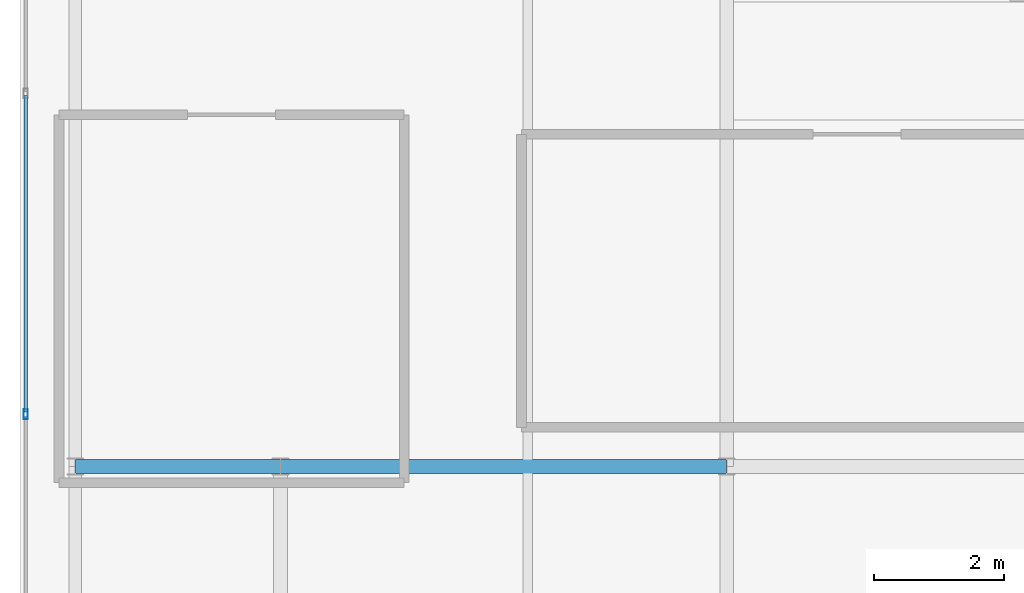
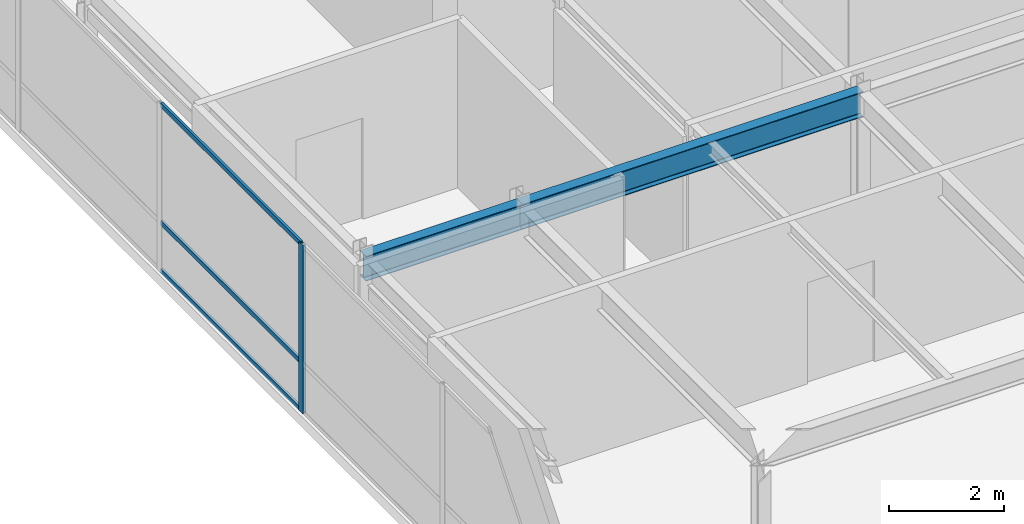
# One storey, part 16 of 36: 4 members, 2 beams, 1 element without a shape of its own.
"""IFC4 building model written with IfcOpenShell, lengths in metres."""

from ifc_helpers import new_model, si_unit, direction, frame, origin, origin_2d, place, context, subcontext, project, spatial, hollow_rectangle, i_section, extrude, source, transform, mapped, material, layer, layer_set, material_profile, profile_set, type_object, type_shapes, element, aggregate, save


model = new_model("IFC4")

# Units and contexts
model_context = context("Model", 3, precision=1e-05, world=origin(), true_north=direction((0.0, 1.0)))
body_context = subcontext(model_context, "Body", "Model", "MODEL_VIEW")
ifc_project = project(units=[si_unit("LENGTHUNIT", "METRE"), si_unit("AREAUNIT", "SQUARE_METRE"), si_unit("VOLUMEUNIT", "CUBIC_METRE"), si_unit("PLANEANGLEUNIT", "RADIAN"), si_unit("MASSUNIT", "GRAM", prefix="KILO")], contexts=[model_context])

# Site, building, storey
site_placement = place(None, origin())
site = spatial("IfcSite", under=ifc_project, at=site_placement, CompositionType="ELEMENT")
building_placement = place(site_placement, origin())
building = spatial("IfcBuilding", under=site, at=building_placement, Name="Tolvann Quenvar Hotel", CompositionType="ELEMENT")
storey_placement = place(building_placement, frame((0.0, 0.0, 294.75)))
storey = spatial("IfcBuildingStorey", under=building, at=storey_placement, Name="L78", CompositionType="ELEMENT", Elevation=294.75)

# Beams
ifc_material_1 = material(Name="Steel Grade 350", Category="steel")
ifc_material_profile_1 = material_profile(ifc_material_1, i_section(OverallWidth=0.208984375, OverallDepth=0.532958984375, WebThickness=0.01025390625, FlangeThickness=0.015625, FilletRadius=0.013916015625, at=origin_2d()), Name="530UB92")
ifc_profile_set_1 = profile_set([ifc_material_profile_1], Name="Steel Grade 350")
beam_type = type_object("IfcBeamType", Name="BM_GIRD_530UB92", PredefinedType="BEAM", material=ifc_profile_set_1)
shared_shape_1 = source(origin(), body_context, "Body", "SweptSolid", [
    extrude(i_section(OverallWidth=0.208984375, OverallDepth=0.532958984375, WebThickness=0.01025390625, FlangeThickness=0.015625, FilletRadius=0.013916015625, at=origin_2d()), origin(), (0.0, 0.0, 1.0), 6.849853515625),
])
beam_1_placement = place(storey_placement, frame((7.60009765625, 24.39990234375, 3.3134765625), z_axis=(1.0, 0.0, 0.0), x_axis=(0.0, 1.0, 0.0)))
element("IfcBeam", 1, at=beam_1_placement, inside=storey, type_object=beam_type, Name="BM-L78-EW-5-C5-D5", PredefinedType="BEAM", context=body_context, shape_type="MappedRepresentation", body=[
    mapped(shared_shape_1, transform((0.0, 0.0, 0.0), x_axis=(1.0, 0.0, 0.0), y_axis=(0.0, 1.0, 0.0), z_axis=(0.0, 0.0, 1.0), scale=1.0)),
])
shared_shape_2 = source(origin(), body_context, "Body", "SweptSolid", [
    extrude(i_section(OverallWidth=0.208984375, OverallDepth=0.532958984375, WebThickness=0.01025390625, FlangeThickness=0.015625, FilletRadius=0.013916015625, at=origin_2d()), origin(), (0.0, 0.0, 1.0), 3.150146484375),
])
type_shapes(beam_type, [shared_shape_1, shared_shape_2])
beam_2_placement = place(storey_placement, frame((4.449951171875, 24.39990234375, 3.3134765625), z_axis=(1.0, 0.0, 0.0), x_axis=(0.0, 1.0, 0.0)))
element("IfcBeam", 2, at=beam_2_placement, inside=storey, type_object=beam_type, Name="BM-L78-EW-5-B5-C5", PredefinedType="BEAM", context=body_context, shape_type="MappedRepresentation", body=[
    mapped(shared_shape_2, transform((0.0, 0.0, 0.0), x_axis=(1.0, 0.0, 0.0), y_axis=(0.0, 1.0, 0.0), z_axis=(0.0, 0.0, 1.0), scale=1.0)),
])

# Curtain wall, members
ifc_material_2 = material(Name="Thermally broken anodised architectural aluminium 6063-T6 and laminated low-E glass", Category="aluminium")
ifc_layer = layer(ifc_material_2, 0.179931640625)
ifc_layer_set = layer_set([ifc_layer], Name="Thermally broken anodised architectural aluminium 6063-T6 and laminated low-E glass")
curtain_wall_type = type_object("IfcCurtainWallType", Name="CW_SYS_LANT_06", PredefinedType="USERDEFINED", material=ifc_layer_set)
curtain_wall_placement = place(storey_placement, origin())
curtain_wall = element("IfcCurtainWall", 3, at=curtain_wall_placement, inside=storey, type_object=curtain_wall_type, Name="Curtain Wall CW-LANT-06 (CWR-L78-E19)", ObjectType="UNITISED CURTAIN WALL", PredefinedType="USERDEFINED")
ifc_material_3 = material(Name="Anodised architectural aluminium 6063-T6 framing", Category="aluminium")
ifc_material_profile_2 = material_profile(ifc_material_3, hollow_rectangle(XDim=0.06494140625, YDim=0.14990234375, WallThickness=0.00390625, at=origin_2d()), Name="150x65x4RHS")
ifc_profile_set_2 = profile_set([ifc_material_profile_2], Name="Anodised architectural aluminium 6063-T6 framing")
member_type_1 = type_object("IfcMemberType", Name="CW_MULL_150x65", PredefinedType="MULLION", material=ifc_profile_set_2)
shared_shape_3 = source(origin(), body_context, "Body", "SweptSolid", [
    extrude(hollow_rectangle(XDim=0.06494140625, YDim=0.14990234375, WallThickness=0.00390625, at=origin_2d()), origin(), (0.0, 0.0, 1.0), 3.580078125),
])
type_shapes(member_type_1, [shared_shape_3])
member_1_placement = place(storey_placement, frame((3.68994140625, 25.199951171875, 0.0), z_axis=(0.0, 0.0, 1.0), x_axis=(1.0, 0.0, 0.0)))
member_1 = element("IfcMember", 4, at=member_1_placement, type_object=member_type_1, Name="CW-LANT-06 mullion 4", PredefinedType="MULLION", context=body_context, shape_type="MappedRepresentation", body=[
    mapped(shared_shape_3, transform((0.0, 0.0, 0.0), x_axis=(1.0, 0.0, 0.0), y_axis=(0.0, 1.0, 0.0), z_axis=(0.0, 0.0, 1.0), scale=1.0)),
])
ifc_material_profile_3 = material_profile(ifc_material_3, hollow_rectangle(XDim=0.050048828125, YDim=0.10009765625, WallThickness=0.0029296875, at=origin_2d()), Name="100x50x3RHS")
ifc_profile_set_3 = profile_set([ifc_material_profile_3], Name="Anodised architectural aluminium 6063-T6 framing")
member_type_2 = type_object("IfcMemberType", Name="CW_TRAN_100x50", PredefinedType="USERDEFINED", material=ifc_profile_set_3)
shared_shape_4 = source(origin(), body_context, "Body", "SweptSolid", [
    extrude(hollow_rectangle(XDim=0.050048828125, YDim=0.10009765625, WallThickness=0.0029296875, at=origin_2d()), origin(), (0.0, 0.0, 1.0), 4.86279296875),
])
type_shapes(member_type_2, [shared_shape_4])
member_2_placement = place(storey_placement, frame((3.68994140625, 30.09521484375, 0.02490234375), z_axis=(0.0, -1.0, 0.0), x_axis=(1.0, 0.0, 0.0)))
member_2 = element("IfcMember", 5, at=member_2_placement, type_object=member_type_2, Name="CW-LANT-06 transom 3.1", ObjectType="TRANSOM", PredefinedType="USERDEFINED", context=body_context, shape_type="MappedRepresentation", body=[
    mapped(shared_shape_4, transform((0.0, 0.0, 0.0), x_axis=(1.0, 0.0, 0.0), y_axis=(0.0, 1.0, 0.0), z_axis=(0.0, 0.0, 1.0), scale=1.0)),
])
member_3_placement = place(storey_placement, frame((3.68994140625, 30.09521484375, 1.050048828125), z_axis=(0.0, -1.0, 0.0), x_axis=(1.0, 0.0, 0.0)))
member_3 = element("IfcMember", 6, at=member_3_placement, type_object=member_type_2, Name="CW-LANT-06 transom 3.2", ObjectType="TRANSOM", PredefinedType="USERDEFINED", context=body_context, shape_type="MappedRepresentation", body=[
    mapped(shared_shape_4, transform((0.0, 0.0, 0.0), x_axis=(1.0, 0.0, 0.0), y_axis=(0.0, 1.0, 0.0), z_axis=(0.0, 0.0, 1.0), scale=1.0)),
])
member_4_placement = place(storey_placement, frame((3.68994140625, 30.09521484375, 3.554931640625), z_axis=(0.0, -1.0, 0.0), x_axis=(1.0, 0.0, 0.0)))
member_4 = element("IfcMember", 7, at=member_4_placement, type_object=member_type_2, Name="CW-LANT-06 transom 3.3", ObjectType="TRANSOM", PredefinedType="USERDEFINED", context=body_context, shape_type="MappedRepresentation", body=[
    mapped(shared_shape_4, transform((0.0, 0.0, 0.0), x_axis=(1.0, 0.0, 0.0), y_axis=(0.0, 1.0, 0.0), z_axis=(0.0, 0.0, 1.0), scale=1.0)),
])
aggregate(curtain_wall, [member_1, member_2, member_3, member_4])

save(model, "model.ifc")
